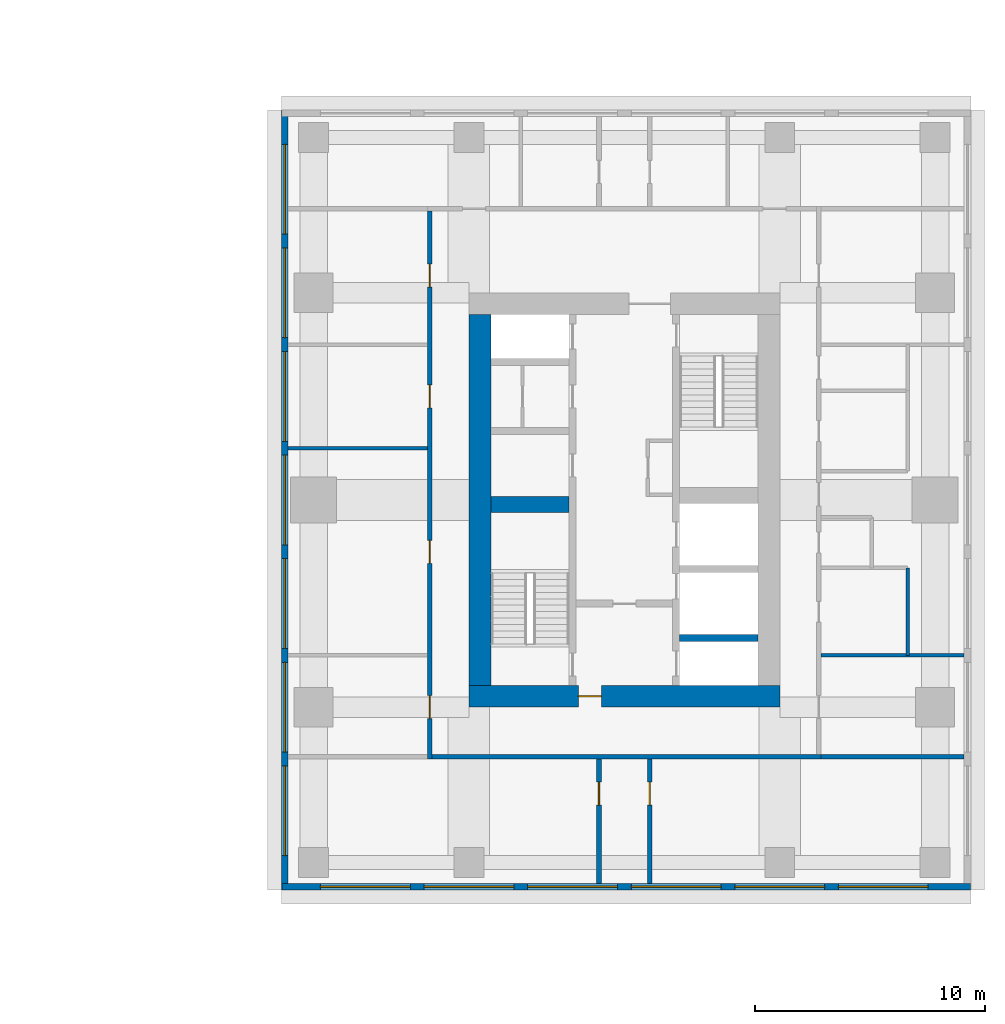
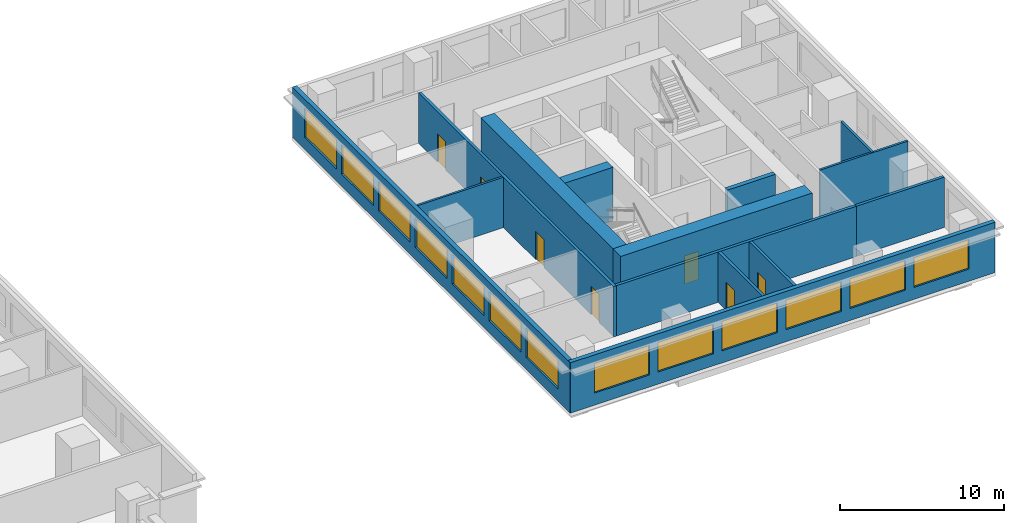
# One storey, part 6 of 11: 14 walls, 13 windows, 7 doors, 20 openings.
"""IFC4 building model written with IfcOpenShell, lengths in metres."""

from ifc_helpers import new_model, si_unit, direction, frame, frame_2d, origin, place, context, subcontext, project, spatial, rectangle, extrude, material, layer, layer_set, type_object, element, fill, save


model = new_model("IFC4")

# Units and contexts
model_context = context("Model", 3, precision=1e-05, world=origin(), true_north=direction((0.0, 1.0)))
body_context = subcontext(model_context, "Body", "Model", "MODEL_VIEW")
ifc_project = project(units=[si_unit("LENGTHUNIT", "METRE"), si_unit("AREAUNIT", "SQUARE_METRE"), si_unit("VOLUMEUNIT", "CUBIC_METRE"), si_unit("PLANEANGLEUNIT", "RADIAN"), si_unit("MASSUNIT", "GRAM", prefix="KILO")], contexts=[model_context])

# Site, building, storey
site_placement = place(None, origin())
site = spatial("IfcSite", under=ifc_project, at=site_placement, CompositionType="ELEMENT")
building_placement = place(site_placement, origin())
building = spatial("IfcBuilding", under=site, at=building_placement, Name="Namib Vertical Campus", CompositionType="ELEMENT")
storey_placement = place(building_placement, frame((0.0, 0.0, 225.0)))
storey = spatial("IfcBuildingStorey", under=building, at=storey_placement, Name="L53", CompositionType="ELEMENT", Elevation=225.0)

# Walls
ifc_material_1 = material(Name="Concrete C60/75", Category="concrete")
ifc_layer_1 = layer(ifc_material_1, 0.300048828125)
ifc_layer_set_1 = layer_set([ifc_layer_1], Name="Concrete C60/75")
wall_type_1 = type_object("IfcWallType", Name="Core inner wall 300", PredefinedType="SHEAR", material=ifc_layer_set_1)
wall_1_placement = place(storey_placement, frame((83.39990234375, 14.25, 0.0), z_axis=(0.0, 0.0, 1.0), x_axis=(1.0, 0.0, 0.0)))
element("IfcWall", 1, at=wall_1_placement, inside=storey, type_object=wall_type_1, Name="Core inner wall B L53 W5", PredefinedType="SHEAR", context=body_context, shape_type="SweptSolid", body=[
    extrude(rectangle(XDim=3.400146484375, YDim=0.300048828125, at=frame_2d((1.7001953125, 0.0))), origin(), (0.0, 0.0, 1.0), 4.0),
])
ifc_material_2 = material(Name="Concrete C60/75", Category="concrete")
ifc_layer_2 = layer(ifc_material_2, 0.699951171875)
ifc_layer_set_2 = layer_set([ifc_layer_2], Name="Concrete C60/75")
wall_type_2 = type_object("IfcWallType", Name="Core shear wall 700", PredefinedType="SHEAR", material=ifc_layer_set_2)
wall_2_placement = place(storey_placement, frame((75.199951171875, 20.050048828125, 0.0), z_axis=(0.0, 0.0, 1.0), x_axis=(1.0, 0.0, 0.0)))
element("IfcWall", 2, at=wall_2_placement, inside=storey, type_object=wall_type_2, Name="Core shear wall B L53 W3", PredefinedType="SHEAR", context=body_context, shape_type="SweptSolid", body=[
    extrude(rectangle(XDim=3.400146484375, YDim=0.699951171875, at=frame_2d((1.7001953125, 0.0))), origin(), (0.0, 0.0, 1.0), 4.0),
])

# Wall, opening, door
ifc_material_3 = material(Name="Concrete C60/75", Category="concrete")
ifc_layer_3 = layer(ifc_material_3, 0.949951171875)
ifc_layer_set_3 = layer_set([ifc_layer_3], Name="Concrete C60/75")
wall_type_3 = type_object("IfcWallType", Name="Core wall 950", PredefinedType="SHEAR", material=ifc_layer_set_3)
wall_3_placement = place(storey_placement, frame((74.25, 11.72509765625, 0.0), z_axis=(0.0, 0.0, 1.0), x_axis=(1.0, 0.0, 0.0)))
wall_3 = element("IfcWall", 3, at=wall_3_placement, inside=storey, type_object=wall_type_3, Name="Core wall B L53 1", PredefinedType="SHEAR", context=body_context, shape_type="SweptSolid", body=[
    extrude(rectangle(XDim=13.5, YDim=0.949951171875, at=frame_2d((6.75, 0.0))), origin(), (0.0, 0.0, 1.0), 4.0),
])
opening_1_placement = place(wall_3_placement, frame((4.75, 0.0, 0.0)))
opening_1 = element("IfcOpeningElement", 4, at=opening_1_placement, cuts=wall_3, Name="Opening FD5", PredefinedType="OPENING", context=body_context, shape_type="SweptSolid", body=[
    extrude(rectangle(XDim=1.0, YDim=2.10009765625, at=frame_2d((0.5, 1.050048828125))), frame((0.0, 0.48486328125, 0.0), z_axis=(0.0, -1.0, 0.0), x_axis=(1.0, 0.0, 0.0)), (0.0, 0.0, 1.0), 0.969970703125),
])
ifc_material_4 = material(Name="Steel fire door", Category="steel")
door_type_1 = type_object("IfcDoorType", Name="Fire door 1000x2100 120 min", OperationType="SINGLE_SWING_RIGHT", PredefinedType="DOOR", material=ifc_material_4)
door_1_placement = place(opening_1_placement, origin())
door_1 = element("IfcDoor", 5, at=door_1_placement, inside=storey, type_object=door_type_1, Name="Firefighting lobby door FD5 B L53", OperationType="SINGLE_SWING_LEFT", OverallHeight=2.10009765625, OverallWidth=1.0, PredefinedType="DOOR", context=body_context, shape_type="SweptSolid", body=[
    extrude(rectangle(XDim=1.0, YDim=2.10009765625, at=frame_2d((0.5, 1.050048828125))), frame((0.0, 0.02490234375, 0.0), z_axis=(0.0, -1.0, 0.0), x_axis=(1.0, 0.0, 0.0)), (0.0, 0.0, 1.0), 0.050048828125),
])
fill(opening_1, door_1)

# Walls
wall_4_placement = place(storey_placement, frame((74.72509765625, 28.300048828125, 0.0), z_axis=(0.0, 0.0, 1.0), x_axis=(0.0, -1.0, 0.0)))
element("IfcWall", 6, at=wall_4_placement, inside=storey, type_object=wall_type_3, Name="Core wall B L53 4", PredefinedType="SHEAR", context=body_context, shape_type="SweptSolid", body=[
    extrude(rectangle(XDim=16.10009765625, YDim=0.949951171875, at=frame_2d((8.050048828125, 0.0))), origin(), (0.0, 0.0, 1.0), 4.0),
])
ifc_material_5 = material(Name="Concrete masonry", Category="masonry")
ifc_layer_4 = layer(ifc_material_5, 0.199951171875)
ifc_layer_set_4 = layer_set([ifc_layer_4], Name="Corridor wall 200")
wall_type_4 = type_object("IfcWallType", Name="Corridor wall 200", PredefinedType="SOLIDWALL", material=ifc_layer_set_4)
wall_5_placement = place(storey_placement, frame((72.64990234375, 9.10009765625, 0.0), z_axis=(0.0, 0.0, 1.0), x_axis=(1.0, 0.0, 0.0)))
element("IfcWall", 7, at=wall_5_placement, inside=storey, type_object=wall_type_4, Name="Corridor wall B L53 CS", PredefinedType="SOLIDWALL", context=body_context, shape_type="SweptSolid", body=[
    extrude(rectangle(XDim=16.900146484375, YDim=0.199951171875, at=frame_2d((8.4501953125, 0.0))), origin(), (0.0, 0.0, 1.0), 3.75),
])

# Wall, openings, doors
wall_6_placement = place(storey_placement, frame((72.550048828125, 32.800048828125, 0.0), z_axis=(0.0, 0.0, 1.0), x_axis=(0.0, -1.0, 0.0)))
wall_6 = element("IfcWall", 8, at=wall_6_placement, inside=storey, type_object=wall_type_4, Name="Corridor wall B L53 CW", PredefinedType="SOLIDWALL", context=body_context, shape_type="SweptSolid", body=[
    extrude(rectangle(XDim=23.800048828125, YDim=0.199951171875, at=frame_2d((11.89990234375, 0.0))), origin(), (0.0, 0.0, 1.0), 3.75),
])
opening_2_placement = place(wall_6_placement, frame((21.050048828125, 0.0, 0.0)))
opening_2 = element("IfcOpeningElement", 9, at=opening_2_placement, cuts=wall_6, Name="Opening CD1", PredefinedType="OPENING", context=body_context, shape_type="SweptSolid", body=[
    extrude(rectangle(XDim=1.0, YDim=2.10009765625, at=frame_2d((0.5, 1.050048828125))), frame((0.0, 0.10986328125, 0.0), z_axis=(0.0, -1.0, 0.0), x_axis=(1.0, 0.0, 0.0)), (0.0, 0.0, 1.0), 0.219970703125),
])
opening_3_placement = place(wall_6_placement, frame((14.300048828125, 0.0, 0.0)))
opening_3 = element("IfcOpeningElement", 10, at=opening_3_placement, cuts=wall_6, Name="Opening CD1", PredefinedType="OPENING", context=body_context, shape_type="SweptSolid", body=[
    extrude(rectangle(XDim=1.0, YDim=2.10009765625, at=frame_2d((0.5, 1.050048828125))), frame((0.0, 0.10986328125, 0.0), z_axis=(0.0, -1.0, 0.0), x_axis=(1.0, 0.0, 0.0)), (0.0, 0.0, 1.0), 0.219970703125),
])
opening_4_placement = place(wall_6_placement, frame((7.550048828125, 0.0, 0.0)))
opening_4 = element("IfcOpeningElement", 11, at=opening_4_placement, cuts=wall_6, Name="Opening CD1", PredefinedType="OPENING", context=body_context, shape_type="SweptSolid", body=[
    extrude(rectangle(XDim=1.0, YDim=2.10009765625, at=frame_2d((0.5, 1.050048828125))), frame((0.0, 0.10986328125, 0.0), z_axis=(0.0, -1.0, 0.0), x_axis=(1.0, 0.0, 0.0)), (0.0, 0.0, 1.0), 0.219970703125),
])
opening_5_placement = place(wall_6_placement, frame((2.300048828125, 0.0, 0.0)))
opening_5 = element("IfcOpeningElement", 12, at=opening_5_placement, cuts=wall_6, Name="Opening CD1", PredefinedType="OPENING", context=body_context, shape_type="SweptSolid", body=[
    extrude(rectangle(XDim=1.0, YDim=2.10009765625, at=frame_2d((0.5, 1.050048828125))), frame((0.0, 0.10986328125, 0.0), z_axis=(0.0, -1.0, 0.0), x_axis=(1.0, 0.0, 0.0)), (0.0, 0.0, 1.0), 0.219970703125),
])
ifc_material_6 = material(Name="Timber fire door leaf", Category="wood")
door_type_2 = type_object("IfcDoorType", Name="Corridor door 1000x2100 20 min", OperationType="SINGLE_SWING_LEFT", PredefinedType="DOOR", material=ifc_material_6)
door_2_placement = place(opening_2_placement, frame((1.0, 0.0, 0.0), z_axis=(0.0, 0.0, 1.0), x_axis=(-1.0, 0.0, 0.0)))
door_2 = element("IfcDoor", 13, at=door_2_placement, inside=storey, type_object=door_type_2, Name="Door CD1 B53-14", OperationType="SINGLE_SWING_RIGHT", OverallHeight=2.10009765625, OverallWidth=1.0, PredefinedType="DOOR", context=body_context, shape_type="SweptSolid", body=[
    extrude(rectangle(XDim=1.0, YDim=2.10009765625, at=frame_2d((0.5, 1.050048828125))), frame((0.0, 0.02490234375, 0.0), z_axis=(0.0, -1.0, 0.0), x_axis=(1.0, 0.0, 0.0)), (0.0, 0.0, 1.0), 0.050048828125),
])
fill(opening_2, door_2)
door_3_placement = place(opening_3_placement, frame((1.0, 0.0, 0.0), z_axis=(0.0, 0.0, 1.0), x_axis=(-1.0, 0.0, 0.0)))
door_3 = element("IfcDoor", 14, at=door_3_placement, inside=storey, type_object=door_type_2, Name="Door CD1 B53-15", OperationType="SINGLE_SWING_RIGHT", OverallHeight=2.10009765625, OverallWidth=1.0, PredefinedType="DOOR", context=body_context, shape_type="SweptSolid", body=[
    extrude(rectangle(XDim=1.0, YDim=2.10009765625, at=frame_2d((0.5, 1.050048828125))), frame((0.0, 0.02490234375, 0.0), z_axis=(0.0, -1.0, 0.0), x_axis=(1.0, 0.0, 0.0)), (0.0, 0.0, 1.0), 0.050048828125),
])
fill(opening_3, door_3)
door_4_placement = place(opening_4_placement, frame((1.0, 0.0, 0.0), z_axis=(0.0, 0.0, 1.0), x_axis=(-1.0, 0.0, 0.0)))
door_4 = element("IfcDoor", 15, at=door_4_placement, inside=storey, type_object=door_type_2, Name="Door CD1 B53-16", OperationType="SINGLE_SWING_RIGHT", OverallHeight=2.10009765625, OverallWidth=1.0, PredefinedType="DOOR", context=body_context, shape_type="SweptSolid", body=[
    extrude(rectangle(XDim=1.0, YDim=2.10009765625, at=frame_2d((0.5, 1.050048828125))), frame((0.0, 0.02490234375, 0.0), z_axis=(0.0, -1.0, 0.0), x_axis=(1.0, 0.0, 0.0)), (0.0, 0.0, 1.0), 0.050048828125),
])
fill(opening_4, door_4)
door_5_placement = place(opening_5_placement, frame((1.0, 0.0, 0.0), z_axis=(0.0, 0.0, 1.0), x_axis=(-1.0, 0.0, 0.0)))
door_5 = element("IfcDoor", 16, at=door_5_placement, inside=storey, type_object=door_type_2, Name="Door CD1 B53-17", OperationType="SINGLE_SWING_RIGHT", OverallHeight=2.10009765625, OverallWidth=1.0, PredefinedType="DOOR", context=body_context, shape_type="SweptSolid", body=[
    extrude(rectangle(XDim=1.0, YDim=2.10009765625, at=frame_2d((0.5, 1.050048828125))), frame((0.0, 0.02490234375, 0.0), z_axis=(0.0, -1.0, 0.0), x_axis=(1.0, 0.0, 0.0)), (0.0, 0.0, 1.0), 0.050048828125),
])
fill(opening_5, door_5)

# Wall, opening, door
wall_7_placement = place(storey_placement, frame((79.89990234375, 3.60009765625, 0.0), z_axis=(0.0, 0.0, 1.0), x_axis=(0.0, 1.0, 0.0)))
wall_7 = element("IfcWall", 17, at=wall_7_placement, inside=storey, type_object=wall_type_4, Name="Corridor wall B L53 SPS1", PredefinedType="SOLIDWALL", context=body_context, shape_type="SweptSolid", body=[
    extrude(rectangle(XDim=5.39990234375, YDim=0.199951171875, at=frame_2d((2.699951171875, 0.0))), origin(), (0.0, 0.0, 1.0), 3.75),
])
opening_6_placement = place(wall_7_placement, frame((3.39990234375, 0.0, 0.0)))
opening_6 = element("IfcOpeningElement", 18, at=opening_6_placement, cuts=wall_7, Name="Opening CD1", PredefinedType="OPENING", context=body_context, shape_type="SweptSolid", body=[
    extrude(rectangle(XDim=1.0, YDim=2.10009765625, at=frame_2d((0.5, 1.050048828125))), frame((0.0, 0.10986328125, 0.0), z_axis=(0.0, -1.0, 0.0), x_axis=(1.0, 0.0, 0.0)), (0.0, 0.0, 1.0), 0.219970703125),
])
door_6_placement = place(opening_6_placement, origin())
door_6 = element("IfcDoor", 19, at=door_6_placement, inside=storey, type_object=door_type_2, Name="Door CD1 B53-01", OperationType="SINGLE_SWING_RIGHT", OverallHeight=2.10009765625, OverallWidth=1.0, PredefinedType="DOOR", context=body_context, shape_type="SweptSolid", body=[
    extrude(rectangle(XDim=1.0, YDim=2.10009765625, at=frame_2d((0.5, 1.050048828125))), frame((0.0, 0.02490234375, 0.0), z_axis=(0.0, -1.0, 0.0), x_axis=(1.0, 0.0, 0.0)), (0.0, 0.0, 1.0), 0.050048828125),
])
fill(opening_6, door_6)

wall_8_placement = place(storey_placement, frame((82.10009765625, 9.0, 0.0), z_axis=(0.0, 0.0, 1.0), x_axis=(0.0, -1.0, 0.0)))
wall_8 = element("IfcWall", 20, at=wall_8_placement, inside=storey, type_object=wall_type_4, Name="Corridor wall B L53 SPS2", PredefinedType="SOLIDWALL", context=body_context, shape_type="SweptSolid", body=[
    extrude(rectangle(XDim=5.39990234375, YDim=0.199951171875, at=frame_2d((2.699951171875, 0.0))), origin(), (0.0, 0.0, 1.0), 3.75),
])
opening_7_placement = place(wall_8_placement, frame((1.0, 0.0, 0.0)))
opening_7 = element("IfcOpeningElement", 21, at=opening_7_placement, cuts=wall_8, Name="Opening CD1", PredefinedType="OPENING", context=body_context, shape_type="SweptSolid", body=[
    extrude(rectangle(XDim=1.0, YDim=2.10009765625, at=frame_2d((0.5, 1.050048828125))), frame((0.0, 0.10986328125, 0.0), z_axis=(0.0, -1.0, 0.0), x_axis=(1.0, 0.0, 0.0)), (0.0, 0.0, 1.0), 0.219970703125),
])
door_7_placement = place(opening_7_placement, origin())
door_7 = element("IfcDoor", 22, at=door_7_placement, inside=storey, type_object=door_type_2, Name="Door CD1 B53-02", OperationType="SINGLE_SWING_LEFT", OverallHeight=2.10009765625, OverallWidth=1.0, PredefinedType="DOOR", context=body_context, shape_type="SweptSolid", body=[
    extrude(rectangle(XDim=1.0, YDim=2.10009765625, at=frame_2d((0.5, 1.050048828125))), frame((0.0, 0.02490234375, 0.0), z_axis=(0.0, -1.0, 0.0), x_axis=(1.0, 0.0, 0.0)), (0.0, 0.0, 1.0), 0.050048828125),
])
fill(opening_7, door_7)

# Wall
wall_9_placement = place(storey_placement, frame((89.550048828125, 9.10009765625, 0.0), z_axis=(0.0, 0.0, 1.0), x_axis=(1.0, 0.0, 0.0)))
element("IfcWall", 23, at=wall_9_placement, inside=storey, type_object=wall_type_4, Name="Partition B L53 BSE", PredefinedType="SOLIDWALL", context=body_context, shape_type="SweptSolid", body=[
    extrude(rectangle(XDim=6.199951171875, YDim=0.199951171875, at=frame_2d((3.10009765625, 0.0))), origin(), (0.0, 0.0, 1.0), 3.75),
])

# Wall, openings, windows
ifc_material_7 = material(Name="Concrete C40/50", Category="concrete")
ifc_layer_5 = layer(ifc_material_7, 0.300048828125)
ifc_layer_set_5 = layer_set([ifc_layer_5], Name="Concrete C40/50")
wall_type_5 = type_object("IfcWallType", Name="External wall 300 board-marked concrete", PredefinedType="STANDARD", material=ifc_layer_set_5)
wall_10_placement = place(storey_placement, frame((66.1201171875, 3.449951171875, 0.0), z_axis=(0.0, 0.0, 1.0), x_axis=(1.0, 0.0, 0.0)))
wall_10 = element("IfcWall", 24, at=wall_10_placement, inside=storey, type_object=wall_type_5, Name="External wall L53 F01", PredefinedType="STANDARD", context=body_context, shape_type="SweptSolid", body=[
    extrude(rectangle(XDim=29.909912109375, YDim=0.300048828125, at=frame_2d((14.955078125, 0.0))), origin(), (0.0, 0.0, 1.0), 3.75),
])
opening_8_placement = place(wall_10_placement, frame((1.679931640625, 0.0, 0.89990234375)))
opening_8 = element("IfcOpeningElement", 25, at=opening_8_placement, cuts=wall_10, Name="Opening W1", PredefinedType="OPENING", context=body_context, shape_type="SweptSolid", body=[
    extrude(rectangle(XDim=3.89990234375, YDim=2.199951171875, at=frame_2d((1.949951171875, 1.10009765625))), frame((0.0, 0.159912109375, 0.0), z_axis=(0.0, -1.0, 0.0), x_axis=(1.0, 0.0, 0.0)), (0.0, 0.0, 1.0), 0.320068359375),
])
opening_9_placement = place(wall_10_placement, frame((6.179931640625, 0.0, 0.89990234375)))
opening_9 = element("IfcOpeningElement", 26, at=opening_9_placement, cuts=wall_10, Name="Opening W1", PredefinedType="OPENING", context=body_context, shape_type="SweptSolid", body=[
    extrude(rectangle(XDim=3.89990234375, YDim=2.199951171875, at=frame_2d((1.949951171875, 1.10009765625))), frame((0.0, 0.159912109375, 0.0), z_axis=(0.0, -1.0, 0.0), x_axis=(1.0, 0.0, 0.0)), (0.0, 0.0, 1.0), 0.320068359375),
])
opening_10_placement = place(wall_10_placement, frame((10.679931640625, 0.0, 0.89990234375)))
opening_10 = element("IfcOpeningElement", 27, at=opening_10_placement, cuts=wall_10, Name="Opening W1", PredefinedType="OPENING", context=body_context, shape_type="SweptSolid", body=[
    extrude(rectangle(XDim=3.89990234375, YDim=2.199951171875, at=frame_2d((1.949951171875, 1.10009765625))), frame((0.0, 0.159912109375, 0.0), z_axis=(0.0, -1.0, 0.0), x_axis=(1.0, 0.0, 0.0)), (0.0, 0.0, 1.0), 0.320068359375),
])
opening_11_placement = place(wall_10_placement, frame((15.179931640625, 0.0, 0.89990234375)))
opening_11 = element("IfcOpeningElement", 28, at=opening_11_placement, cuts=wall_10, Name="Opening W1", PredefinedType="OPENING", context=body_context, shape_type="SweptSolid", body=[
    extrude(rectangle(XDim=3.89990234375, YDim=2.199951171875, at=frame_2d((1.949951171875, 1.10009765625))), frame((0.0, 0.159912109375, 0.0), z_axis=(0.0, -1.0, 0.0), x_axis=(1.0, 0.0, 0.0)), (0.0, 0.0, 1.0), 0.320068359375),
])
opening_12_placement = place(wall_10_placement, frame((19.679931640625, 0.0, 0.89990234375)))
opening_12 = element("IfcOpeningElement", 29, at=opening_12_placement, cuts=wall_10, Name="Opening W1", PredefinedType="OPENING", context=body_context, shape_type="SweptSolid", body=[
    extrude(rectangle(XDim=3.89990234375, YDim=2.199951171875, at=frame_2d((1.949951171875, 1.10009765625))), frame((0.0, 0.159912109375, 0.0), z_axis=(0.0, -1.0, 0.0), x_axis=(1.0, 0.0, 0.0)), (0.0, 0.0, 1.0), 0.320068359375),
])
opening_13_placement = place(wall_10_placement, frame((24.179931640625, 0.0, 0.89990234375)))
opening_13 = element("IfcOpeningElement", 30, at=opening_13_placement, cuts=wall_10, Name="Opening W1", PredefinedType="OPENING", context=body_context, shape_type="SweptSolid", body=[
    extrude(rectangle(XDim=3.89990234375, YDim=2.199951171875, at=frame_2d((1.949951171875, 1.10009765625))), frame((0.0, 0.159912109375, 0.0), z_axis=(0.0, -1.0, 0.0), x_axis=(1.0, 0.0, 0.0)), (0.0, 0.0, 1.0), 0.320068359375),
])
ifc_material_8 = material(Name="Dark tinted glass in black aluminium frame", Category="aluminium")
window_type = type_object("IfcWindowType", Name="Ribbon window 3900x2200", PartitioningType="SINGLE_PANEL", PredefinedType="WINDOW", material=ifc_material_8)
window_1_placement = place(opening_8_placement, origin())
window_1 = element("IfcWindow", 31, at=window_1_placement, inside=storey, type_object=window_type, Name="Window W1 L53 F01-1", OverallHeight=2.199951171875, OverallWidth=3.89990234375, PartitioningType="SINGLE_PANEL", PredefinedType="WINDOW", context=body_context, shape_type="SweptSolid", body=[
    extrude(rectangle(XDim=3.89990234375, YDim=2.199951171875, at=frame_2d((1.949951171875, 1.10009765625))), frame((0.0, 0.030029296875, 0.0), z_axis=(0.0, -1.0, 0.0), x_axis=(1.0, 0.0, 0.0)), (0.0, 0.0, 1.0), 0.06005859375),
])
fill(opening_8, window_1)
window_2_placement = place(opening_9_placement, origin())
window_2 = element("IfcWindow", 32, at=window_2_placement, inside=storey, type_object=window_type, Name="Window W1 L53 F01-2", OverallHeight=2.199951171875, OverallWidth=3.89990234375, PartitioningType="SINGLE_PANEL", PredefinedType="WINDOW", context=body_context, shape_type="SweptSolid", body=[
    extrude(rectangle(XDim=3.89990234375, YDim=2.199951171875, at=frame_2d((1.949951171875, 1.10009765625))), frame((0.0, 0.030029296875, 0.0), z_axis=(0.0, -1.0, 0.0), x_axis=(1.0, 0.0, 0.0)), (0.0, 0.0, 1.0), 0.06005859375),
])
fill(opening_9, window_2)
window_3_placement = place(opening_10_placement, origin())
window_3 = element("IfcWindow", 33, at=window_3_placement, inside=storey, type_object=window_type, Name="Window W1 L53 F01-3", OverallHeight=2.199951171875, OverallWidth=3.89990234375, PartitioningType="SINGLE_PANEL", PredefinedType="WINDOW", context=body_context, shape_type="SweptSolid", body=[
    extrude(rectangle(XDim=3.89990234375, YDim=2.199951171875, at=frame_2d((1.949951171875, 1.10009765625))), frame((0.0, 0.030029296875, 0.0), z_axis=(0.0, -1.0, 0.0), x_axis=(1.0, 0.0, 0.0)), (0.0, 0.0, 1.0), 0.06005859375),
])
fill(opening_10, window_3)
window_4_placement = place(opening_11_placement, origin())
window_4 = element("IfcWindow", 34, at=window_4_placement, inside=storey, type_object=window_type, Name="Window W1 L53 F01-4", OverallHeight=2.199951171875, OverallWidth=3.89990234375, PartitioningType="SINGLE_PANEL", PredefinedType="WINDOW", context=body_context, shape_type="SweptSolid", body=[
    extrude(rectangle(XDim=3.89990234375, YDim=2.199951171875, at=frame_2d((1.949951171875, 1.10009765625))), frame((0.0, 0.030029296875, 0.0), z_axis=(0.0, -1.0, 0.0), x_axis=(1.0, 0.0, 0.0)), (0.0, 0.0, 1.0), 0.06005859375),
])
fill(opening_11, window_4)
window_5_placement = place(opening_12_placement, origin())
window_5 = element("IfcWindow", 35, at=window_5_placement, inside=storey, type_object=window_type, Name="Window W1 L53 F01-5", OverallHeight=2.199951171875, OverallWidth=3.89990234375, PartitioningType="SINGLE_PANEL", PredefinedType="WINDOW", context=body_context, shape_type="SweptSolid", body=[
    extrude(rectangle(XDim=3.89990234375, YDim=2.199951171875, at=frame_2d((1.949951171875, 1.10009765625))), frame((0.0, 0.030029296875, 0.0), z_axis=(0.0, -1.0, 0.0), x_axis=(1.0, 0.0, 0.0)), (0.0, 0.0, 1.0), 0.06005859375),
])
fill(opening_12, window_5)
window_6_placement = place(opening_13_placement, origin())
window_6 = element("IfcWindow", 36, at=window_6_placement, inside=storey, type_object=window_type, Name="Window W1 L53 F01-6", OverallHeight=2.199951171875, OverallWidth=3.89990234375, PartitioningType="SINGLE_PANEL", PredefinedType="WINDOW", context=body_context, shape_type="SweptSolid", body=[
    extrude(rectangle(XDim=3.89990234375, YDim=2.199951171875, at=frame_2d((1.949951171875, 1.10009765625))), frame((0.0, 0.030029296875, 0.0), z_axis=(0.0, -1.0, 0.0), x_axis=(1.0, 0.0, 0.0)), (0.0, 0.0, 1.0), 0.06005859375),
])
fill(opening_13, window_6)

wall_11_placement = place(storey_placement, frame((66.25, 37.179931640625, 0.0), z_axis=(0.0, 0.0, 1.0), x_axis=(0.0, -1.0, 0.0)))
wall_11 = element("IfcWall", 37, at=wall_11_placement, inside=storey, type_object=wall_type_5, Name="External wall L53 F04", PredefinedType="STANDARD", context=body_context, shape_type="SweptSolid", body=[
    extrude(rectangle(XDim=33.85986328125, YDim=0.300048828125, at=frame_2d((16.929931640625, 0.0))), origin(), (0.0, 0.0, 1.0), 3.75),
])
opening_14_placement = place(wall_11_placement, frame((28.47998046875, 0.0, 0.89990234375)))
opening_14 = element("IfcOpeningElement", 38, at=opening_14_placement, cuts=wall_11, Name="Opening W1", PredefinedType="OPENING", context=body_context, shape_type="SweptSolid", body=[
    extrude(rectangle(XDim=3.89990234375, YDim=2.199951171875, at=frame_2d((1.949951171875, 1.10009765625))), frame((0.0, 0.159912109375, 0.0), z_axis=(0.0, -1.0, 0.0), x_axis=(1.0, 0.0, 0.0)), (0.0, 0.0, 1.0), 0.320068359375),
])
opening_15_placement = place(wall_11_placement, frame((23.97998046875, 0.0, 0.89990234375)))
opening_15 = element("IfcOpeningElement", 39, at=opening_15_placement, cuts=wall_11, Name="Opening W1", PredefinedType="OPENING", context=body_context, shape_type="SweptSolid", body=[
    extrude(rectangle(XDim=3.89990234375, YDim=2.199951171875, at=frame_2d((1.949951171875, 1.10009765625))), frame((0.0, 0.159912109375, 0.0), z_axis=(0.0, -1.0, 0.0), x_axis=(1.0, 0.0, 0.0)), (0.0, 0.0, 1.0), 0.320068359375),
])
opening_16_placement = place(wall_11_placement, frame((19.47998046875, 0.0, 0.89990234375)))
opening_16 = element("IfcOpeningElement", 40, at=opening_16_placement, cuts=wall_11, Name="Opening W1", PredefinedType="OPENING", context=body_context, shape_type="SweptSolid", body=[
    extrude(rectangle(XDim=3.89990234375, YDim=2.199951171875, at=frame_2d((1.949951171875, 1.10009765625))), frame((0.0, 0.159912109375, 0.0), z_axis=(0.0, -1.0, 0.0), x_axis=(1.0, 0.0, 0.0)), (0.0, 0.0, 1.0), 0.320068359375),
])
opening_17_placement = place(wall_11_placement, frame((14.97998046875, 0.0, 0.89990234375)))
opening_17 = element("IfcOpeningElement", 41, at=opening_17_placement, cuts=wall_11, Name="Opening W1", PredefinedType="OPENING", context=body_context, shape_type="SweptSolid", body=[
    extrude(rectangle(XDim=3.89990234375, YDim=2.199951171875, at=frame_2d((1.949951171875, 1.10009765625))), frame((0.0, 0.159912109375, 0.0), z_axis=(0.0, -1.0, 0.0), x_axis=(1.0, 0.0, 0.0)), (0.0, 0.0, 1.0), 0.320068359375),
])
opening_18_placement = place(wall_11_placement, frame((10.47998046875, 0.0, 0.89990234375)))
opening_18 = element("IfcOpeningElement", 42, at=opening_18_placement, cuts=wall_11, Name="Opening W1", PredefinedType="OPENING", context=body_context, shape_type="SweptSolid", body=[
    extrude(rectangle(XDim=3.89990234375, YDim=2.199951171875, at=frame_2d((1.949951171875, 1.10009765625))), frame((0.0, 0.159912109375, 0.0), z_axis=(0.0, -1.0, 0.0), x_axis=(1.0, 0.0, 0.0)), (0.0, 0.0, 1.0), 0.320068359375),
])
opening_19_placement = place(wall_11_placement, frame((5.97998046875, 0.0, 0.89990234375)))
opening_19 = element("IfcOpeningElement", 43, at=opening_19_placement, cuts=wall_11, Name="Opening W1", PredefinedType="OPENING", context=body_context, shape_type="SweptSolid", body=[
    extrude(rectangle(XDim=3.89990234375, YDim=2.199951171875, at=frame_2d((1.949951171875, 1.10009765625))), frame((0.0, 0.159912109375, 0.0), z_axis=(0.0, -1.0, 0.0), x_axis=(1.0, 0.0, 0.0)), (0.0, 0.0, 1.0), 0.320068359375),
])
opening_20_placement = place(wall_11_placement, frame((1.47998046875, 0.0, 0.89990234375)))
opening_20 = element("IfcOpeningElement", 44, at=opening_20_placement, cuts=wall_11, Name="Opening W1", PredefinedType="OPENING", context=body_context, shape_type="SweptSolid", body=[
    extrude(rectangle(XDim=3.89990234375, YDim=2.199951171875, at=frame_2d((1.949951171875, 1.10009765625))), frame((0.0, 0.159912109375, 0.0), z_axis=(0.0, -1.0, 0.0), x_axis=(1.0, 0.0, 0.0)), (0.0, 0.0, 1.0), 0.320068359375),
])
window_7_placement = place(opening_14_placement, origin())
window_7 = element("IfcWindow", 45, at=window_7_placement, inside=storey, type_object=window_type, Name="Window W1 L53 F04-1", OverallHeight=2.199951171875, OverallWidth=3.89990234375, PartitioningType="SINGLE_PANEL", PredefinedType="WINDOW", context=body_context, shape_type="SweptSolid", body=[
    extrude(rectangle(XDim=3.89990234375, YDim=2.199951171875, at=frame_2d((1.949951171875, 1.10009765625))), frame((0.0, 0.030029296875, 0.0), z_axis=(0.0, -1.0, 0.0), x_axis=(1.0, 0.0, 0.0)), (0.0, 0.0, 1.0), 0.06005859375),
])
fill(opening_14, window_7)
window_8_placement = place(opening_15_placement, origin())
window_8 = element("IfcWindow", 46, at=window_8_placement, inside=storey, type_object=window_type, Name="Window W1 L53 F04-2", OverallHeight=2.199951171875, OverallWidth=3.89990234375, PartitioningType="SINGLE_PANEL", PredefinedType="WINDOW", context=body_context, shape_type="SweptSolid", body=[
    extrude(rectangle(XDim=3.89990234375, YDim=2.199951171875, at=frame_2d((1.949951171875, 1.10009765625))), frame((0.0, 0.030029296875, 0.0), z_axis=(0.0, -1.0, 0.0), x_axis=(1.0, 0.0, 0.0)), (0.0, 0.0, 1.0), 0.06005859375),
])
fill(opening_15, window_8)
window_9_placement = place(opening_16_placement, origin())
window_9 = element("IfcWindow", 47, at=window_9_placement, inside=storey, type_object=window_type, Name="Window W1 L53 F04-3", OverallHeight=2.199951171875, OverallWidth=3.89990234375, PartitioningType="SINGLE_PANEL", PredefinedType="WINDOW", context=body_context, shape_type="SweptSolid", body=[
    extrude(rectangle(XDim=3.89990234375, YDim=2.199951171875, at=frame_2d((1.949951171875, 1.10009765625))), frame((0.0, 0.030029296875, 0.0), z_axis=(0.0, -1.0, 0.0), x_axis=(1.0, 0.0, 0.0)), (0.0, 0.0, 1.0), 0.06005859375),
])
fill(opening_16, window_9)
window_10_placement = place(opening_17_placement, origin())
window_10 = element("IfcWindow", 48, at=window_10_placement, inside=storey, type_object=window_type, Name="Window W1 L53 F04-4", OverallHeight=2.199951171875, OverallWidth=3.89990234375, PartitioningType="SINGLE_PANEL", PredefinedType="WINDOW", context=body_context, shape_type="SweptSolid", body=[
    extrude(rectangle(XDim=3.89990234375, YDim=2.199951171875, at=frame_2d((1.949951171875, 1.10009765625))), frame((0.0, 0.030029296875, 0.0), z_axis=(0.0, -1.0, 0.0), x_axis=(1.0, 0.0, 0.0)), (0.0, 0.0, 1.0), 0.06005859375),
])
fill(opening_17, window_10)
window_11_placement = place(opening_18_placement, origin())
window_11 = element("IfcWindow", 49, at=window_11_placement, inside=storey, type_object=window_type, Name="Window W1 L53 F04-5", OverallHeight=2.199951171875, OverallWidth=3.89990234375, PartitioningType="SINGLE_PANEL", PredefinedType="WINDOW", context=body_context, shape_type="SweptSolid", body=[
    extrude(rectangle(XDim=3.89990234375, YDim=2.199951171875, at=frame_2d((1.949951171875, 1.10009765625))), frame((0.0, 0.030029296875, 0.0), z_axis=(0.0, -1.0, 0.0), x_axis=(1.0, 0.0, 0.0)), (0.0, 0.0, 1.0), 0.06005859375),
])
fill(opening_18, window_11)
window_12_placement = place(opening_19_placement, origin())
window_12 = element("IfcWindow", 50, at=window_12_placement, inside=storey, type_object=window_type, Name="Window W1 L53 F04-6", OverallHeight=2.199951171875, OverallWidth=3.89990234375, PartitioningType="SINGLE_PANEL", PredefinedType="WINDOW", context=body_context, shape_type="SweptSolid", body=[
    extrude(rectangle(XDim=3.89990234375, YDim=2.199951171875, at=frame_2d((1.949951171875, 1.10009765625))), frame((0.0, 0.030029296875, 0.0), z_axis=(0.0, -1.0, 0.0), x_axis=(1.0, 0.0, 0.0)), (0.0, 0.0, 1.0), 0.06005859375),
])
fill(opening_19, window_12)
window_13_placement = place(opening_20_placement, origin())
window_13 = element("IfcWindow", 51, at=window_13_placement, inside=storey, type_object=window_type, Name="Window W1 L53 F04-7", OverallHeight=2.199951171875, OverallWidth=3.89990234375, PartitioningType="SINGLE_PANEL", PredefinedType="WINDOW", context=body_context, shape_type="SweptSolid", body=[
    extrude(rectangle(XDim=3.89990234375, YDim=2.199951171875, at=frame_2d((1.949951171875, 1.10009765625))), frame((0.0, 0.030029296875, 0.0), z_axis=(0.0, -1.0, 0.0), x_axis=(1.0, 0.0, 0.0)), (0.0, 0.0, 1.0), 0.06005859375),
])
fill(opening_20, window_13)

# Walls
ifc_material_9 = material(Name="Gypsum board on steel studs", Category="steel")
ifc_layer_6 = layer(ifc_material_9, 0.14990234375)
ifc_layer_set_6 = layer_set([ifc_layer_6], Name="Gypsum board on steel studs")
wall_type_6 = type_object("IfcWallType", Name="Partition 150", PredefinedType="PARTITIONING", material=ifc_layer_set_6)
wall_12_placement = place(storey_placement, frame((89.550048828125, 13.5, 0.0), z_axis=(0.0, 0.0, 1.0), x_axis=(1.0, 0.0, 0.0)))
element("IfcWall", 52, at=wall_12_placement, inside=storey, type_object=wall_type_6, Name="Partition B L53 PE1", PredefinedType="PARTITIONING", context=body_context, shape_type="SweptSolid", body=[
    extrude(rectangle(XDim=6.199951171875, YDim=0.14990234375, at=frame_2d((3.10009765625, 0.0))), origin(), (0.0, 0.0, 1.0), 3.75),
])
wall_13_placement = place(storey_placement, frame((66.39990234375, 22.5, 0.0), z_axis=(0.0, 0.0, 1.0), x_axis=(1.0, 0.0, 0.0)))
element("IfcWall", 53, at=wall_13_placement, inside=storey, type_object=wall_type_6, Name="Partition B L53 PW2", PredefinedType="PARTITIONING", context=body_context, shape_type="SweptSolid", body=[
    extrude(rectangle(XDim=6.050048828125, YDim=0.14990234375, at=frame_2d((3.02490234375, 0.0))), origin(), (0.0, 0.0, 1.0), 3.75),
])
wall_14_placement = place(storey_placement, frame((93.300048828125, 13.5, 0.0), z_axis=(0.0, 0.0, 1.0), x_axis=(0.0, 1.0, 0.0)))
element("IfcWall", 54, at=wall_14_placement, inside=storey, type_object=wall_type_6, Name="Partition B L53 WB1", PredefinedType="PARTITIONING", context=body_context, shape_type="SweptSolid", body=[
    extrude(rectangle(XDim=3.800048828125, YDim=0.14990234375, at=frame_2d((1.89990234375, 0.0))), origin(), (0.0, 0.0, 1.0), 3.75),
])

save(model, "model.ifc")
